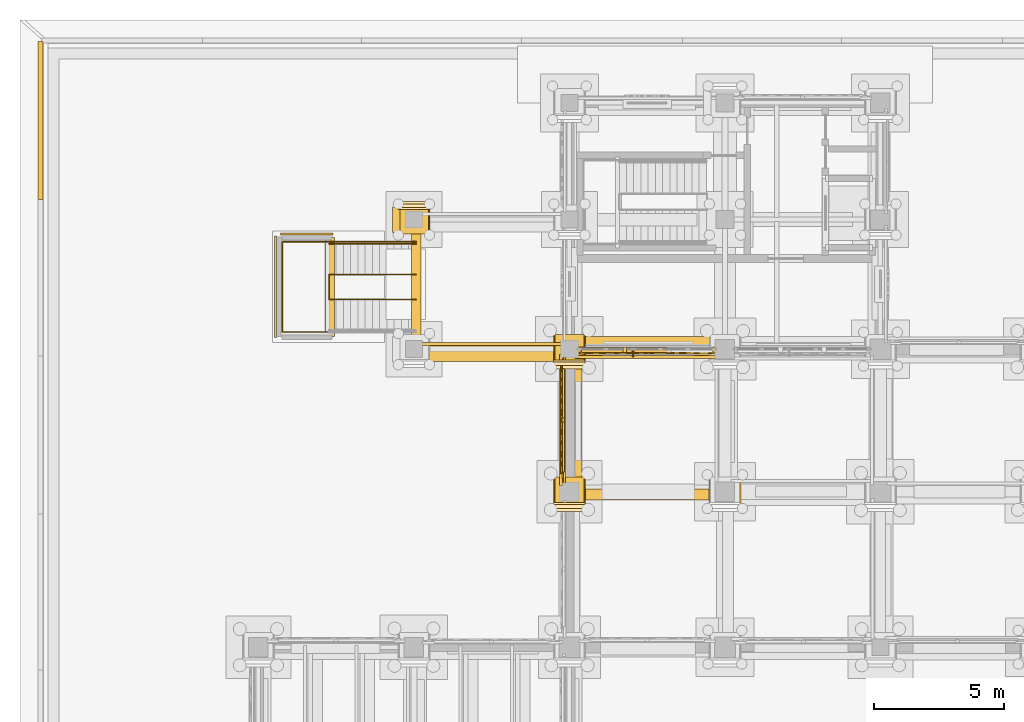
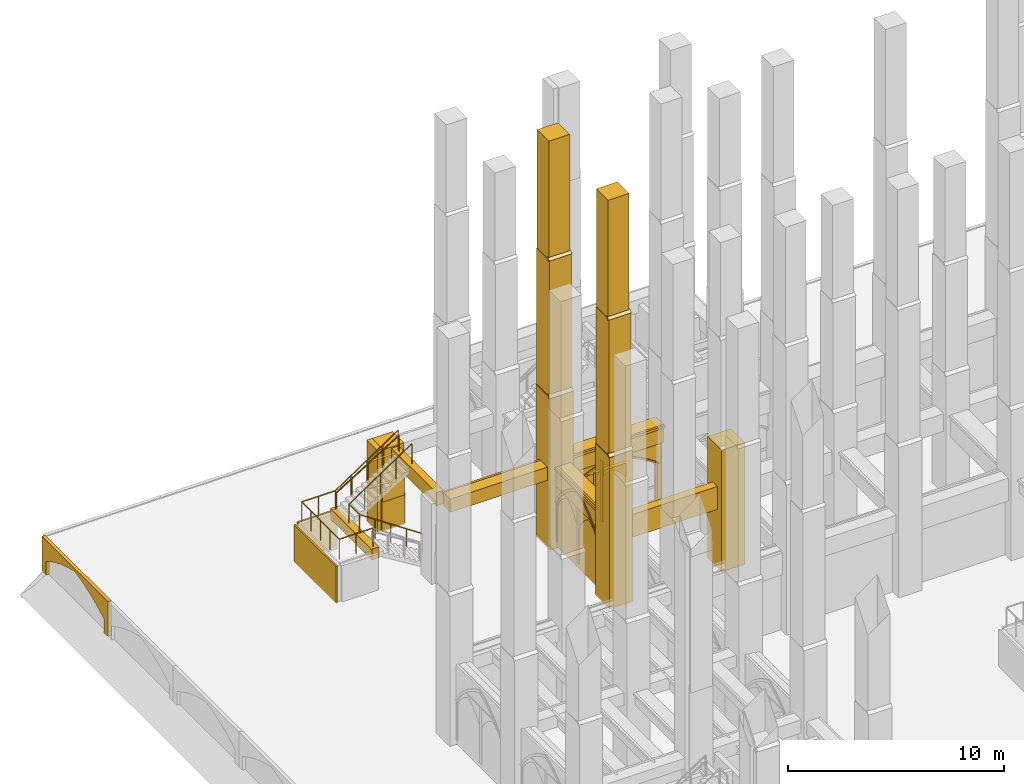
# One storey, part 89 of 135: 40 coverings, 4 railings, 1 shading device.
"""IFC4 building model written with IfcOpenShell, lengths in metres."""

from ifc_helpers import new_model, si_unit, direction, frame, origin, origin_2d, place, context, subcontext, project, spatial, polyline, rectangle, circle, outline, extrude, material, type_object, element, save


model = new_model("IFC4")

# Units and contexts
model_context = context("Model", 3, precision=1e-05, world=origin(), true_north=direction((0.0, 1.0)))
body_context = subcontext(model_context, "Body", "Model", "MODEL_VIEW")
ifc_project = project(units=[si_unit("LENGTHUNIT", "METRE"), si_unit("AREAUNIT", "SQUARE_METRE"), si_unit("VOLUMEUNIT", "CUBIC_METRE"), si_unit("PLANEANGLEUNIT", "RADIAN"), si_unit("MASSUNIT", "GRAM", prefix="KILO")], contexts=[model_context])

# Site, building, storey
site_placement = place(None, origin())
site = spatial("IfcSite", under=ifc_project, at=site_placement, CompositionType="ELEMENT")
building_placement = place(site_placement, origin())
building = spatial("IfcBuilding", under=site, at=building_placement, Name="Cumevento Cable Car Station", CompositionType="ELEMENT")
storey_placement = place(building_placement, origin())
storey = spatial("IfcBuildingStorey", under=building, at=storey_placement, Name="L01", CompositionType="ELEMENT", Elevation=0.0)

# Railings
ifc_material_1 = material(Name="Painted Galvanised Architectural Steel", Category="steel")
railing_type_1 = type_object("IfcRailingType", Name="Stair Guardrail GR-S115", PredefinedType="GUARDRAIL", material=ifc_material_1)
railing_1_placement = place(storey_placement, frame((16.080078125, 58.419921875, 0.0)))
element("IfcRailing", 1, at=railing_1_placement, inside=storey, type_object=railing_type_1, Name="Stair Well Inner Guardrail ST-16", PredefinedType="GUARDRAIL", context=body_context, shape_type="SweptSolid", body=[
    extrude(circle(Radius=0.02392578125, at=origin_2d()), frame((0.0, 0.0, 1.1259765625), z_axis=(-0.830915400975, 0.0, 0.556398774641), x_axis=(0.0, -1.0, 0.0)), (0.0, 0.0, 1.0), 4.0439453125),
    extrude(circle(Radius=0.02392578125, at=origin_2d()), frame((-3.360107421875, 0.0, 3.3759765625), z_axis=(0.0, 1.0, 0.0), x_axis=(-1.0, 0.0, 0.0)), (0.0, 0.0, 1.0), 0.9599609375),
    extrude(circle(Radius=0.02392578125, at=origin_2d()), frame((-3.360107421875, 0.9599609375, 3.3759765625), z_axis=(0.830915400975, 0.0, 0.556398774641), x_axis=(0.0, 1.0, 0.0)), (0.0, 0.0, 1.0), 4.0439453125),
    extrude(circle(Radius=0.02001953125, at=origin_2d()), origin(), (0.0, 0.0, 1.0), 1.101806640625),
    extrude(circle(Radius=0.02001953125, at=origin_2d()), frame((-0.840087890625, 0.0, 0.5625)), (0.0, 0.0, 1.0), 1.101806640625),
    extrude(circle(Radius=0.02001953125, at=origin_2d()), frame((-1.68017578125, 0.0, 1.125)), (0.0, 0.0, 1.0), 1.101806640625),
    extrude(circle(Radius=0.02001953125, at=origin_2d()), frame((-2.52001953125, 0.0, 1.6875)), (0.0, 0.0, 1.0), 1.101806640625),
    extrude(circle(Radius=0.02001953125, at=origin_2d()), frame((-3.360107421875, 0.0, 2.25)), (0.0, 0.0, 1.0), 1.101806640625),
    extrude(circle(Radius=0.02001953125, at=origin_2d()), frame((-3.360107421875, 0.9599609375, 2.25)), (0.0, 0.0, 1.0), 1.101806640625),
    extrude(circle(Radius=0.02001953125, at=origin_2d()), frame((-2.52001953125, 0.9599609375, 2.8125)), (0.0, 0.0, 1.0), 1.101806640625),
    extrude(circle(Radius=0.02001953125, at=origin_2d()), frame((-1.68017578125, 0.9599609375, 3.375)), (0.0, 0.0, 1.0), 1.101806640625),
    extrude(circle(Radius=0.02001953125, at=origin_2d()), frame((-0.840087890625, 0.9599609375, 3.9375)), (0.0, 0.0, 1.0), 1.101806640625),
    extrude(circle(Radius=0.02001953125, at=origin_2d()), frame((0.0, 0.9599609375, 4.5)), (0.0, 0.0, 1.0), 1.101806640625),
])
railing_2_placement = place(storey_placement, frame((12.719970703125, 57.159912109375, 2.25)))
element("IfcRailing", 2, at=railing_2_placement, inside=storey, type_object=railing_type_1, Name="Stair Half-Landing Guardrail ST-16", PredefinedType="GUARDRAIL", context=body_context, shape_type="SweptSolid", body=[
    extrude(circle(Radius=0.02392578125, at=origin_2d()), frame((0.0, 0.0, 1.1259765625), z_axis=(-1.0, 0.0, 0.0), x_axis=(0.0, -1.0, 0.0)), (0.0, 0.0, 1.0), 1.800048828125),
    extrude(circle(Radius=0.02392578125, at=origin_2d()), frame((-1.800048828125, 0.0, 1.1259765625), z_axis=(0.0, 1.0, 0.0), x_axis=(-1.0, 0.0, 0.0)), (0.0, 0.0, 1.0), 3.47998046875),
    extrude(circle(Radius=0.02392578125, at=origin_2d()), frame((-1.800048828125, 3.47998046875, 1.1259765625), z_axis=(1.0, 0.0, 0.0), x_axis=(0.0, 1.0, 0.0)), (0.0, 0.0, 1.0), 1.800048828125),
    extrude(circle(Radius=0.02001953125, at=origin_2d()), origin(), (0.0, 0.0, 1.0), 1.101806640625),
    extrude(circle(Radius=0.02001953125, at=origin_2d()), frame((-0.89990234375, 0.0, 0.0)), (0.0, 0.0, 1.0), 1.101806640625),
    extrude(circle(Radius=0.02001953125, at=origin_2d()), frame((-1.800048828125, 0.0, 0.0)), (0.0, 0.0, 1.0), 1.101806640625),
    extrude(circle(Radius=0.02001953125, at=origin_2d()), frame((-1.800048828125, 0.8701171875, 0.0)), (0.0, 0.0, 1.0), 1.101806640625),
    extrude(circle(Radius=0.02001953125, at=origin_2d()), frame((-1.800048828125, 1.739990234375, 0.0)), (0.0, 0.0, 1.0), 1.101806640625),
    extrude(circle(Radius=0.02001953125, at=origin_2d()), frame((-1.800048828125, 2.60986328125, 0.0)), (0.0, 0.0, 1.0), 1.101806640625),
    extrude(circle(Radius=0.02001953125, at=origin_2d()), frame((-1.800048828125, 3.47998046875, 0.0)), (0.0, 0.0, 1.0), 1.101806640625),
    extrude(circle(Radius=0.02001953125, at=origin_2d()), frame((-0.89990234375, 3.47998046875, 0.0)), (0.0, 0.0, 1.0), 1.101806640625),
    extrude(circle(Radius=0.02001953125, at=origin_2d()), frame((0.0, 3.47998046875, 0.0)), (0.0, 0.0, 1.0), 1.101806640625),
])
railing_3_placement = place(storey_placement, frame((12.719970703125, 60.639892578125, 2.25)))
element("IfcRailing", 3, at=railing_3_placement, inside=storey, type_object=railing_type_1, Name="Stair Outer Guardrail ST-16 F2", PredefinedType="GUARDRAIL", context=body_context, shape_type="SweptSolid", body=[
    extrude(circle(Radius=0.02392578125, at=origin_2d()), frame((0.0, 0.0, 1.1259765625), z_axis=(0.830915400975, 0.0, 0.556398774641), x_axis=(0.0, 1.0, 0.0)), (0.0, 0.0, 1.0), 4.0439453125),
    extrude(circle(Radius=0.02001953125, at=origin_2d()), origin(), (0.0, 0.0, 1.0), 1.101806640625),
    extrude(circle(Radius=0.02001953125, at=origin_2d()), frame((0.840087890625, 0.0, 0.5625)), (0.0, 0.0, 1.0), 1.101806640625),
    extrude(circle(Radius=0.02001953125, at=origin_2d()), frame((1.68017578125, 0.0, 1.125)), (0.0, 0.0, 1.0), 1.101806640625),
    extrude(circle(Radius=0.02001953125, at=origin_2d()), frame((2.52001953125, 0.0, 1.6875)), (0.0, 0.0, 1.0), 1.101806640625),
    extrude(circle(Radius=0.02001953125, at=origin_2d()), frame((3.360107421875, 0.0, 2.25)), (0.0, 0.0, 1.0), 1.101806640625),
])
ifc_material_2 = material(Name="Brushed Stainless Steel Handrail Tube", Category="steel")
railing_type_2 = type_object("IfcRailingType", Name="Stair Handrail HR-090", PredefinedType="HANDRAIL", material=ifc_material_2)
railing_4_placement = place(storey_placement, frame((12.719970703125, 60.56005859375, 2.42626953125)))
element("IfcRailing", 4, at=railing_4_placement, inside=storey, type_object=railing_type_2, Name="Stair Pitch Handrail ST-16 F2", PredefinedType="HANDRAIL", context=body_context, shape_type="SweptSolid", body=[
    extrude(circle(Radius=0.02099609375, at=origin_2d()), frame((0.0, 0.0, 0.87890625), z_axis=(0.850623216509, 0.0, 0.525775754039), x_axis=(0.0, 1.0, 0.0)), (0.0, 0.0, 1.0), 3.9501953125),
    extrude(circle(Radius=0.01611328125, at=origin_2d()), origin(), (0.0, 0.0, 1.0), 0.85791015625),
    extrude(circle(Radius=0.01611328125, at=origin_2d()), frame((0.840087890625, 0.0, 0.519287109375)), (0.0, 0.0, 1.0), 0.85791015625),
    extrude(circle(Radius=0.01611328125, at=origin_2d()), frame((1.68017578125, 0.0, 1.03857421875)), (0.0, 0.0, 1.0), 0.85791015625),
    extrude(circle(Radius=0.01611328125, at=origin_2d()), frame((2.52001953125, 0.0, 1.5576171875)), (0.0, 0.0, 1.0), 0.85791015625),
    extrude(circle(Radius=0.01611328125, at=origin_2d()), frame((3.360107421875, 0.0, 2.076904296875)), (0.0, 0.0, 1.0), 0.85791015625),
])

# Shading device
ifc_material_3 = material(Name="Anodised Bronze Aluminium AW-6063-T6", Category="aluminium")
shading_device_type = type_object("IfcShadingDeviceType", Name="Bronze Lancet Brise-Soleil BS-01", PredefinedType="JALOUSIE", material=ifc_material_3)
shading_device_placement = place(storey_placement, frame((24.4599609375, 56.320068359375, 0.159912109375), z_axis=(0.0, 0.0, 1.0), x_axis=(-1.0, 0.0, 0.0)))
element("IfcShadingDevice", 5, at=shading_device_placement, inside=storey, type_object=shading_device_type, Name="Bronze Lancet Solar Fin #11", PredefinedType="JALOUSIE", context=body_context, shape_type="SweptSolid", body=[
    extrude(rectangle(XDim=0.054931640625, YDim=0.239990234375, at=origin_2d()), origin(), (0.0, 0.0, 1.0), 3.43994140625),
])

# Coverings
ifc_material_4 = material(Name="Gnaisse Facoidal Stone Ashlar 85 MPa", Category="masonry")
covering_type = type_object("IfcCoveringType", Name="Gnaisse Ashlar Cladding CV-CL01", PredefinedType="CLADDING", material=ifc_material_4)
covering_1_placement = place(storey_placement, frame((16.0, 61.56005859375, -0.06005859375), z_axis=(0.0, 0.0, 1.0), x_axis=(-1.0, 0.0, 0.0)))
element("IfcCovering", 6, at=covering_1_placement, inside=storey, type_object=covering_type, Name="Stepped Gothic Stone Buttress Tier 1 bt:16.0:61.5", PredefinedType="CLADDING", context=body_context, shape_type="SweptSolid", body=[
    extrude(rectangle(XDim=1.239990234375, YDim=1.239990234375, at=origin_2d()), origin(), (0.0, 0.0, 1.0), 1.755615234375),
])
covering_2_placement = place(storey_placement, frame((16.639892578125, 62.199951171875, 1.675537109375), z_axis=(0.0, 0.714474823669, 0.699661151089), x_axis=(-1.0, 0.0, 0.0)))
element("IfcCovering", 7, at=covering_2_placement, inside=storey, type_object=covering_type, Name="Gothic Buttress Sloped Stone Weathering 1 bt:16.0:61.5", PredefinedType="CLADDING", context=body_context, shape_type="SweptSolid", body=[
    extrude(outline(polyline([(0.0, 0.0), (1.27978515625, 0.0), (1.27978515625, 0.21424991728737658), (0.0, 0.21424991728737658), (0.0, 0.0)])), origin(), (0.0, 0.0, -1.0), 0.090087890625),
])
covering_3_placement = place(storey_placement, frame((16.0, 61.510009765625, 1.603271484375), z_axis=(0.0, 0.0, 1.0), x_axis=(-1.0, 0.0, 0.0)))
element("IfcCovering", 8, at=covering_3_placement, inside=storey, type_object=covering_type, Name="Stepped Gothic Stone Buttress Tier 2 bt:16.0:61.5", PredefinedType="CLADDING", context=body_context, shape_type="SweptSolid", body=[
    extrude(rectangle(XDim=1.179931640625, YDim=1.139892578125, at=origin_2d()), origin(), (0.0, 0.0, 1.0), 1.6630859375),
])
covering_4_placement = place(storey_placement, frame((16.610107421875, 62.10009765625, 3.246337890625), z_axis=(0.0, 0.715574205881, 0.698536724788), x_axis=(-1.0, 0.0, 0.0)))
element("IfcCovering", 9, at=covering_4_placement, inside=storey, type_object=covering_type, Name="Gothic Buttress Sloped Stone Weathering 2 bt:16.0:61.5", PredefinedType="CLADDING", context=body_context, shape_type="SweptSolid", body=[
    extrude(outline(polyline([(0.0, 0.0), (1.22021484375, 0.0), (1.22021484375, 0.2006146760464928), (0.0, 0.2006146760464928), (0.0, 0.0)])), origin(), (0.0, 0.0, -1.0), 0.090087890625),
])
covering_5_placement = place(storey_placement, frame((16.0, 61.465087890625, 3.173828125), z_axis=(0.0, 0.0, 1.0), x_axis=(-1.0, 0.0, 0.0)))
element("IfcCovering", 10, at=covering_5_placement, inside=storey, type_object=covering_type, Name="Stepped Gothic Stone Buttress Tier 3 bt:16.0:61.5", PredefinedType="CLADDING", context=body_context, shape_type="SweptSolid", body=[
    extrude(rectangle(XDim=1.1201171875, YDim=1.050048828125, at=origin_2d()), origin(), (0.0, 0.0, 1.0), 1.385986328125),
])
covering_6_placement = place(storey_placement, frame((15.320068359375, 61.5, -0.06005859375), z_axis=(0.0, 0.0, 1.0), x_axis=(1.0, 0.0, 0.0)))
element("IfcCovering", 11, at=covering_6_placement, inside=storey, type_object=covering_type, Name="Corner Buttress Stone Return (16.0,61.5)", PredefinedType="CLADDING", context=body_context, shape_type="SweptSolid", body=[
    extrude(rectangle(XDim=0.280029296875, YDim=0.97998046875, at=origin_2d()), origin(), (0.0, 0.0, 1.0), 4.6201171875),
])
covering_7_placement = place(storey_placement, frame((22.0, 50.909912109375, -0.06005859375), z_axis=(0.0, 0.0, 1.0), x_axis=(1.0, 0.0, 0.0)))
element("IfcCovering", 12, at=covering_7_placement, inside=storey, type_object=covering_type, Name="Stepped Gothic Stone Buttress Tier 1 bt:22.0:51.0", PredefinedType="CLADDING", context=body_context, shape_type="SweptSolid", body=[
    extrude(rectangle(XDim=1.239990234375, YDim=1.300048828125, at=origin_2d()), origin(), (0.0, 0.0, 1.0), 8.595703125),
])
covering_8_placement = place(storey_placement, frame((21.360107421875, 50.239990234375, 8.515625), z_axis=(0.0, -0.711135781079, 0.703054692658), x_axis=(1.0, 0.0, 0.0)))
element("IfcCovering", 13, at=covering_8_placement, inside=storey, type_object=covering_type, Name="Gothic Buttress Sloped Stone Weathering 1 bt:22.0:51.0", PredefinedType="CLADDING", context=body_context, shape_type="SweptSolid", body=[
    extrude(outline(polyline([(0.0, 0.0), (1.27978515625, 0.0), (1.27978515625, 0.24169083397703695), (0.0, 0.24169083397703695), (0.0, 0.0)])), origin(), (0.0, 0.0, -1.0), 0.090087890625),
])
covering_9_placement = place(storey_placement, frame((22.0, 50.969970703125, 8.0830078125), z_axis=(0.0, 0.0, 1.0), x_axis=(1.0, 0.0, 0.0)))
element("IfcCovering", 14, at=covering_9_placement, inside=storey, type_object=covering_type, Name="Stepped Gothic Stone Buttress Tier 2 bt:22.0:51.0", PredefinedType="CLADDING", context=body_context, shape_type="SweptSolid", body=[
    extrude(rectangle(XDim=1.179931640625, YDim=1.179931640625, at=origin_2d()), origin(), (0.0, 0.0, 1.0), 8.143310546875),
])
covering_10_placement = place(storey_placement, frame((21.389892578125, 50.360107421875, 16.206298828125), z_axis=(0.0, -0.714474823669, 0.699661151089), x_axis=(1.0, 0.0, 0.0)))
element("IfcCovering", 15, at=covering_10_placement, inside=storey, type_object=covering_type, Name="Gothic Buttress Sloped Stone Weathering 2 bt:22.0:51.0", PredefinedType="CLADDING", context=body_context, shape_type="SweptSolid", body=[
    extrude(outline(polyline([(0.0, 0.0), (1.22021484375, 0.0), (1.22021484375, 0.21424991728737655), (0.0, 0.21424991728737655), (0.0, 0.0)])), origin(), (0.0, 0.0, -1.0), 0.090087890625),
])
covering_11_placement = place(storey_placement, frame((22.0, 51.02001953125, 15.77392578125), z_axis=(0.0, 0.0, 1.0), x_axis=(1.0, 0.0, 0.0)))
element("IfcCovering", 16, at=covering_11_placement, inside=storey, type_object=covering_type, Name="Stepped Gothic Stone Buttress Tier 3 bt:22.0:51.0", PredefinedType="CLADDING", context=body_context, shape_type="SweptSolid", body=[
    extrude(rectangle(XDim=1.1201171875, YDim=1.080078125, at=origin_2d()), origin(), (0.0, 0.0, 1.0), 7.1259765625),
])
covering_12_placement = place(storey_placement, frame((22.0, 56.409912109375, -0.06005859375), z_axis=(0.0, 0.0, 1.0), x_axis=(1.0, 0.0, 0.0)))
element("IfcCovering", 17, at=covering_12_placement, inside=storey, type_object=covering_type, Name="Stepped Gothic Stone Buttress Tier 1 bt:22.0:56.5", PredefinedType="CLADDING", context=body_context, shape_type="SweptSolid", body=[
    extrude(rectangle(XDim=1.239990234375, YDim=1.300048828125, at=origin_2d()), origin(), (0.0, 0.0, 1.0), 8.595703125),
])
covering_13_placement = place(storey_placement, frame((21.360107421875, 55.739990234375, 8.515625), z_axis=(0.0, -0.711135781079, 0.703054692658), x_axis=(1.0, 0.0, 0.0)))
element("IfcCovering", 18, at=covering_13_placement, inside=storey, type_object=covering_type, Name="Gothic Buttress Sloped Stone Weathering 1 bt:22.0:56.5", PredefinedType="CLADDING", context=body_context, shape_type="SweptSolid", body=[
    extrude(outline(polyline([(0.0, 0.0), (1.27978515625, 0.0), (1.27978515625, 0.24169083397703695), (0.0, 0.24169083397703695), (0.0, 0.0)])), origin(), (0.0, 0.0, -1.0), 0.090087890625),
])
covering_14_placement = place(storey_placement, frame((22.0, 56.469970703125, 8.0830078125), z_axis=(0.0, 0.0, 1.0), x_axis=(1.0, 0.0, 0.0)))
element("IfcCovering", 19, at=covering_14_placement, inside=storey, type_object=covering_type, Name="Stepped Gothic Stone Buttress Tier 2 bt:22.0:56.5", PredefinedType="CLADDING", context=body_context, shape_type="SweptSolid", body=[
    extrude(rectangle(XDim=1.179931640625, YDim=1.179931640625, at=origin_2d()), origin(), (0.0, 0.0, 1.0), 8.143310546875),
])
covering_15_placement = place(storey_placement, frame((21.389892578125, 55.860107421875, 16.206298828125), z_axis=(0.0, -0.714474823669, 0.699661151089), x_axis=(1.0, 0.0, 0.0)))
element("IfcCovering", 20, at=covering_15_placement, inside=storey, type_object=covering_type, Name="Gothic Buttress Sloped Stone Weathering 2 bt:22.0:56.5", PredefinedType="CLADDING", context=body_context, shape_type="SweptSolid", body=[
    extrude(outline(polyline([(0.0, 0.0), (1.22021484375, 0.0), (1.22021484375, 0.21424991728737655), (0.0, 0.21424991728737655), (0.0, 0.0)])), origin(), (0.0, 0.0, -1.0), 0.090087890625),
])
covering_16_placement = place(storey_placement, frame((22.0, 56.52001953125, 15.77392578125), z_axis=(0.0, 0.0, 1.0), x_axis=(1.0, 0.0, 0.0)))
element("IfcCovering", 21, at=covering_16_placement, inside=storey, type_object=covering_type, Name="Stepped Gothic Stone Buttress Tier 3 bt:22.0:56.5", PredefinedType="CLADDING", context=body_context, shape_type="SweptSolid", body=[
    extrude(rectangle(XDim=1.1201171875, YDim=1.080078125, at=origin_2d()), origin(), (0.0, 0.0, 1.0), 7.1259765625),
])
covering_17_placement = place(storey_placement, frame((28.0, 50.909912109375, -0.06005859375), z_axis=(0.0, 0.0, 1.0), x_axis=(1.0, 0.0, 0.0)))
element("IfcCovering", 22, at=covering_17_placement, inside=storey, type_object=covering_type, Name="Stepped Gothic Stone Buttress Tier 1 bt:28.0:51.0", PredefinedType="CLADDING", context=body_context, shape_type="SweptSolid", body=[
    extrude(rectangle(XDim=1.239990234375, YDim=1.300048828125, at=origin_2d()), origin(), (0.0, 0.0, 1.0), 6.885498046875),
])
covering_18_placement = place(storey_placement, frame((25.0, 50.885009765625, 3.239990234375), z_axis=(0.0, 0.0, 1.0), x_axis=(1.0, 0.0, 0.0)))
element("IfcCovering", 23, at=covering_18_placement, inside=storey, type_object=covering_type, Name="Gothic Stone Spandrel Stringcourse sc:0081", PredefinedType="CLADDING", context=body_context, shape_type="SweptSolid", body=[
    extrude(rectangle(XDim=5.31005859375, YDim=0.429931640625, at=origin_2d()), origin(), (0.0, 0.0, 1.0), 1.2900390625),
])
covering_19_placement = place(storey_placement, frame((24.987548828125, 56.60009765625, 3.5400390625), z_axis=(0.0, 0.0, 1.0), x_axis=(-1.0, 0.0, 0.0)))
element("IfcCovering", 24, at=covering_19_placement, inside=storey, type_object=covering_type, Name="Gothic Stone Spandrel Stringcourse sc:0086", PredefinedType="CLADDING", context=body_context, shape_type="SweptSolid", body=[
    extrude(rectangle(XDim=5.514892578125, YDim=0.760009765625, at=origin_2d()), origin(), (0.0, 0.0, 1.0), 0.989990234375),
])
covering_20_placement = place(storey_placement, frame((24.987548828125, 56.1923828125, 4.400146484375), z_axis=(0.0, 0.0, 1.0), x_axis=(-1.0, 0.0, 0.0)))
element("IfcCovering", 25, at=covering_20_placement, inside=storey, type_object=covering_type, Name="Gothic Cornice Dripstone Lip sc:0086", PredefinedType="CLADDING", context=body_context, shape_type="SweptSolid", body=[
    extrude(rectangle(XDim=5.554931640625, YDim=0.114990234375, at=origin_2d()), origin(), (0.0, 0.0, 1.0), 0.1298828125),
])
covering_21_placement = place(storey_placement, frame((22.08740234375, 53.762451171875, 3.43994140625), z_axis=(0.0, 0.0, 1.0), x_axis=(0.0, 1.0, 0.0)))
element("IfcCovering", 26, at=covering_21_placement, inside=storey, type_object=covering_type, Name="Gothic Stone Spandrel Stringcourse sc:0092", PredefinedType="CLADDING", context=body_context, shape_type="SweptSolid", body=[
    extrude(rectangle(XDim=5.014892578125, YDim=0.784912109375, at=origin_2d()), origin(), (0.0, 0.0, 1.0), 1.090087890625),
])
covering_22_placement = place(storey_placement, frame((21.66748046875, 53.762451171875, 4.400146484375), z_axis=(0.0, 0.0, 1.0), x_axis=(0.0, 1.0, 0.0)))
element("IfcCovering", 27, at=covering_22_placement, inside=storey, type_object=covering_type, Name="Gothic Cornice Dripstone Lip sc:0092", PredefinedType="CLADDING", context=body_context, shape_type="SweptSolid", body=[
    extrude(rectangle(XDim=5.054931640625, YDim=0.114990234375, at=origin_2d()), origin(), (0.0, 0.0, 1.0), 0.1298828125),
])
covering_23_placement = place(storey_placement, frame((18.987548828125, 56.35009765625, 3.73291015625), z_axis=(0.0, 0.0, 1.0), x_axis=(1.0, 0.0, 0.0)))
element("IfcCovering", 28, at=covering_23_placement, inside=storey, type_object=covering_type, Name="Gothic Stone Spandrel Stringcourse sc:0840", PredefinedType="CLADDING", context=body_context, shape_type="SweptSolid", body=[
    extrude(rectangle(XDim=5.56494140625, YDim=0.659912109375, at=origin_2d()), origin(), (0.0, 0.0, 1.0), 0.7470703125),
])
covering_24_placement = place(storey_placement, frame((18.987548828125, 56.70751953125, 4.35009765625), z_axis=(0.0, 0.0, 1.0), x_axis=(1.0, 0.0, 0.0)))
element("IfcCovering", 29, at=covering_24_placement, inside=storey, type_object=covering_type, Name="Gothic Cornice Dripstone Lip sc:0840", PredefinedType="CLADDING", context=body_context, shape_type="SweptSolid", body=[
    extrude(rectangle(XDim=5.60498046875, YDim=0.114990234375, at=origin_2d()), origin(), (0.0, 0.0, 1.0), 0.1298828125),
])
covering_25_placement = place(storey_placement, frame((16.090087890625, 59.0, 3.73291015625), z_axis=(0.0, 0.0, 1.0), x_axis=(0.0, 1.0, 0.0)))
element("IfcCovering", 30, at=covering_25_placement, inside=storey, type_object=covering_type, Name="Gothic Stone Spandrel Stringcourse sc:0842", PredefinedType="CLADDING", context=body_context, shape_type="SweptSolid", body=[
    extrude(rectangle(XDim=4.409912109375, YDim=0.3798828125, at=origin_2d()), origin(), (0.0, 0.0, 1.0), 0.7470703125),
])
covering_26_placement = place(storey_placement, frame((12.75, 58.89990234375, 1.72509765625), z_axis=(0.0, 0.0, 1.0), x_axis=(0.0, 1.0, 0.0)))
element("IfcCovering", 31, at=covering_26_placement, inside=storey, type_object=covering_type, Name="Gothic Stone Spandrel Stringcourse sc:0850", PredefinedType="CLADDING", context=body_context, shape_type="SweptSolid", body=[
    extrude(rectangle(XDim=3.820068359375, YDim=0.3798828125, at=origin_2d()), origin(), (0.0, 0.0, 1.0), 0.60595703125),
])
placement_1 = place(storey_placement, frame((27.625, 56.5, 0.0), z_axis=(0.0, 0.0, 1.0), x_axis=(-1.0, 0.0, 0.0)))
element("IfcCovering", 32, at=placement_1, inside=storey, type_object=covering_type, Name="Gothic Ogival Pointed-Arch Stone Spandrel cw_ogival:0016", PredefinedType="CLADDING", context=body_context, shape_type="SweptSolid", body=[
    extrude(outline(polyline([(-0.080078125, 0.0), (-0.080078125, 3.679931640625), (5.35498046875, 3.679931640625), (5.35498046875, 0.0), (5.114990234375, 0.0), (5.114990234375, 2.361572265625), (4.831787109375, 2.55322265625), (4.53955078125, 2.730712890625), (4.239013671875, 2.893798828125), (3.930908203125, 3.0419921875), (3.615966796875, 3.175048828125), (3.294921875, 3.29248046875), (2.968505859375, 3.394287109375), (2.637451171875, 3.47998046875), (2.306396484375, 3.394287109375), (1.97998046875, 3.29248046875), (1.658935546875, 3.175048828125), (1.343994140625, 3.0419921875), (1.035888671875, 2.893798828125), (0.7353515625, 2.730712890625), (0.443115234375, 2.55322265625), (0.159912109375, 2.361572265625), (0.159912109375, 0.0), (-0.080078125, 0.0)])), frame((0.0, 0.139892578125, 0.0), z_axis=(0.0, -1.0, 0.0), x_axis=(1.0, 0.0, 0.0)), (0.0, 0.0, 1.0), 0.219970703125),
])
covering_28_placement = place(storey_placement, frame((27.625, 56.5, 2.361572265625), z_axis=(0.0, 0.0, 1.0), x_axis=(-1.0, 0.0, 0.0)))
element("IfcCovering", 33, at=covering_28_placement, inside=storey, type_object=covering_type, Name="Gothic Pointed Archivolt Hood Moulding cw_ogival:0016", PredefinedType="CLADDING", context=body_context, shape_type="SweptSolid", body=[
    extrude(outline(polyline([(0.159912109375, 0.0), (0.443115234375, 0.191650390625), (0.7353515625, 0.369140625), (1.035888671875, 0.5322265625), (1.343994140625, 0.680419921875), (1.658935546875, 0.8134765625), (1.97998046875, 0.930908203125), (2.306396484375, 1.03271484375), (2.637451171875, 1.118408203125), (2.968505859375, 1.03271484375), (3.294921875, 0.930908203125), (3.615966796875, 0.8134765625), (3.930908203125, 0.680419921875), (4.239013671875, 0.5322265625), (4.53955078125, 0.369140625), (4.831787109375, 0.191650390625), (5.114990234375, 0.0), (5.22509765625, 0.0), (4.93310546875, 0.21435546875), (4.630615234375, 0.413330078125), (4.318115234375, 0.596435546875), (3.99658203125, 0.762939453125), (3.6669921875, 0.91259765625), (3.329833984375, 1.044677734375), (2.986328125, 1.159423828125), (2.637451171875, 1.255859375), (2.28857421875, 1.159423828125), (1.945068359375, 1.044677734375), (1.60791015625, 0.91259765625), (1.2783203125, 0.762939453125), (0.956787109375, 0.596435546875), (0.644287109375, 0.413330078125), (0.341796875, 0.21435546875), (0.050048828125, 0.0), (0.159912109375, 0.0)])), frame((0.0, 0.181884765625, 0.0), z_axis=(0.0, -1.0, 0.0), x_axis=(1.0, 0.0, 0.0)), (0.0, 0.0, 1.0), 0.06689453125),
])
element("IfcCovering", 34, at=placement_1, inside=storey, type_object=covering_type, Name="Gothic Bifora Stone Colonnette cw_ogival:0016 #2", PredefinedType="CLADDING", context=body_context, shape_type="SweptSolid", body=[
    extrude(outline(polyline([(3.413330078125, -0.02001953125), (3.563232421875, -0.02001953125), (3.563232421875, 2.943115234375), (3.413330078125, 2.943115234375), (3.413330078125, -0.02001953125)])), frame((0.0, 0.1279296875, 0.0), z_axis=(0.0, -1.0, 0.0), x_axis=(1.0, 0.0, 0.0)), (0.0, 0.0, 1.0), 0.205078125),
])
for number, where, z_axis, x_axis, name in (
    (35, (25.793212890625, 56.5, 2.181640625), (0.0, 0.0, 1.0), (-1.0, 0.0, 0.0), "Gothic Ogival Pointed-Arch Stone Spandrel cw_ogival:0016:sub:1"),
    (36, (24.091552734375, 56.5, 2.181640625), (0.0, 0.0, 1.0), (-1.0, 0.0, 0.0), "Gothic Ogival Pointed-Arch Stone Spandrel cw_ogival:0016:sub:2"),
):
    element("IfcCovering", number, at=place(storey_placement, frame(where, z_axis=z_axis, x_axis=x_axis)), inside=storey, type_object=covering_type, Name=name, PredefinedType="CLADDING", context=body_context, shape_type="SweptSolid", body=[
        extrude(outline(polyline([(-0.02001953125, 0.0), (-0.02001953125, 0.76171875), (1.631591796875, 0.76171875), (1.631591796875, 0.0), (1.57177734375, 0.0), (1.47509765625, 0.13916015625), (1.3642578125, 0.267333984375), (1.240478515625, 0.3828125), (1.105224609375, 0.484375), (0.959716796875, 0.571044921875), (0.805908203125, 0.6416015625), (0.65185546875, 0.571044921875), (0.50634765625, 0.484375), (0.37109375, 0.3828125), (0.247314453125, 0.267333984375), (0.136474609375, 0.13916015625), (0.0400390625, 0.0), (-0.02001953125, 0.0)])), frame((0.0, 0.1240234375, 0.0), z_axis=(0.0, -1.0, 0.0), x_axis=(1.0, 0.0, 0.0)), (0.0, 0.0, 1.0), 0.199951171875),
    ])
covering_30_placement = place(storey_placement, frame((22.0, 51.375, 0.0), z_axis=(0.0, 0.0, 1.0), x_axis=(0.0, 1.0, 0.0)))
element("IfcCovering", 37, at=covering_30_placement, inside=storey, type_object=covering_type, Name="Exterior Gnaisse Stone Wall Ashlar #20", PredefinedType="CLADDING", context=body_context, shape_type="SweptSolid", body=[
    extrude(outline(polyline([(-0.0400390625, -0.02001953125), (4.81494140625, -0.02001953125), (4.81494140625, 4.52001953125), (-0.0400390625, 4.52001953125), (-0.0400390625, -0.02001953125)])), frame((0.0, 0.237548828125, 0.0), z_axis=(0.0, -1.0, 0.0), x_axis=(1.0, 0.0, 0.0)), (0.0, 0.0, 1.0), 0.0849609375),
])
placement_2 = place(storey_placement, frame((22.0, 51.554931640625, 0.300048828125), z_axis=(0.0, 0.0, 1.0), x_axis=(0.0, 1.0, 0.0)))
element("IfcCovering", 38, at=placement_2, inside=storey, type_object=covering_type, Name="Gothic Ogival Pointed-Arch Stone Spandrel blind_ogival:0020", PredefinedType="CLADDING", context=body_context, shape_type="SweptSolid", body=[
    extrude(outline(polyline([(-0.050048828125, 0.0), (-0.050048828125, 4.239990234375), (4.465087890625, 4.239990234375), (4.465087890625, 0.0), (4.155029296875, 0.0), (4.155029296875, 2.219970703125), (3.95947265625, 2.55322265625), (3.732421875, 2.865478515625), (3.475830078125, 3.154052734375), (3.192138671875, 3.416259765625), (2.88427734375, 3.6494140625), (2.554931640625, 3.851318359375), (2.20751953125, 4.02001953125), (1.860107421875, 3.851318359375), (1.53076171875, 3.6494140625), (1.222900390625, 3.416259765625), (0.939208984375, 3.154052734375), (0.6826171875, 2.865478515625), (0.45556640625, 2.55322265625), (0.260009765625, 2.219970703125), (0.260009765625, 0.0), (-0.050048828125, 0.0)])), frame((0.0, 0.29248046875, 0.0), z_axis=(0.0, -1.0, 0.0), x_axis=(1.0, 0.0, 0.0)), (0.0, 0.0, 1.0), 0.110107421875),
])
covering_32_placement = place(storey_placement, frame((22.0, 51.554931640625, 2.52001953125), z_axis=(0.0, 0.0, 1.0), x_axis=(0.0, 1.0, 0.0)))
element("IfcCovering", 39, at=covering_32_placement, inside=storey, type_object=covering_type, Name="Gothic Pointed Archivolt Hood Moulding blind_ogival:0020", PredefinedType="CLADDING", context=body_context, shape_type="SweptSolid", body=[
    extrude(outline(polyline([(0.260009765625, 0.0), (0.45556640625, 0.333251953125), (0.6826171875, 0.6455078125), (0.939208984375, 0.93408203125), (1.222900390625, 1.1962890625), (1.53076171875, 1.429443359375), (1.860107421875, 1.63134765625), (2.20751953125, 1.800048828125), (2.554931640625, 1.63134765625), (2.88427734375, 1.429443359375), (3.192138671875, 1.1962890625), (3.475830078125, 0.93408203125), (3.732421875, 0.6455078125), (3.95947265625, 0.333251953125), (4.155029296875, 0.0), (4.27587890625, 0.0), (4.071533203125, 0.3603515625), (3.83203125, 0.698486328125), (3.560302734375, 1.011474609375), (3.259033203125, 1.295654296875), (2.930908203125, 1.548828125), (2.5791015625, 1.76806640625), (2.20751953125, 1.951171875), (1.8359375, 1.76806640625), (1.484130859375, 1.548828125), (1.156005859375, 1.295654296875), (0.854736328125, 1.011474609375), (0.5830078125, 0.698486328125), (0.343505859375, 0.3603515625), (0.138916015625, 0.0), (0.260009765625, 0.0)])), frame((0.0, 0.33447265625, 0.0), z_axis=(0.0, -1.0, 0.0), x_axis=(1.0, 0.0, 0.0)), (0.0, 0.0, 1.0), 0.06689453125),
])
element("IfcCovering", 40, at=placement_2, inside=storey, type_object=covering_type, Name="Gothic Bifora Stone Colonnette blind_ogival:0020 #1", PredefinedType="CLADDING", context=body_context, shape_type="SweptSolid", body=[
    extrude(outline(polyline([(2.132568359375, -0.02001953125), (2.282470703125, -0.02001953125), (2.282470703125, 3.156005859375), (2.132568359375, 3.156005859375), (2.132568359375, -0.02001953125)])), frame((0.0, 0.280517578125, 0.0), z_axis=(0.0, -1.0, 0.0), x_axis=(1.0, 0.0, 0.0)), (0.0, 0.0, 1.0), 0.094970703125),
])
for number, where, z_axis, x_axis, name in (
    (41, (22.0, 51.784912109375, 2.340087890625), (0.0, 0.0, 1.0), (0.0, 1.0, 0.0), "Gothic Ogival Pointed-Arch Stone Spandrel blind_ogival:0020:sub:0"),
    (42, (22.0, 53.8076171875, 2.340087890625), (0.0, 0.0, 1.0), (0.0, 1.0, 0.0), "Gothic Ogival Pointed-Arch Stone Spandrel blind_ogival:0020:sub:1"),
):
    element("IfcCovering", number, at=place(storey_placement, frame(where, z_axis=z_axis, x_axis=x_axis)), inside=storey, type_object=covering_type, Name=name, PredefinedType="CLADDING", context=body_context, shape_type="SweptSolid", body=[
        extrude(outline(polyline([(-0.02001953125, 0.0), (-0.02001953125, 1.115966796875), (1.952392578125, 1.115966796875), (1.952392578125, 0.0), (1.892578125, 0.0), (1.794921875, 0.21044921875), (1.671630859375, 0.406982421875), (1.524658203125, 0.586669921875), (1.3564453125, 0.74609375), (1.169189453125, 0.88330078125), (0.96630859375, 0.99609375), (0.763427734375, 0.88330078125), (0.576171875, 0.74609375), (0.407958984375, 0.586669921875), (0.260986328125, 0.406982421875), (0.1376953125, 0.21044921875), (0.0400390625, 0.0), (-0.02001953125, 0.0)])), frame((0.0, 0.276611328125, 0.0), z_axis=(0.0, -1.0, 0.0), x_axis=(1.0, 0.0, 0.0)), (0.0, 0.0, 1.0), 0.090087890625),
    ])
covering_34_placement = place(storey_placement, frame((10.780029296875, 56.97998046875, 0.0), z_axis=(0.0, 0.0, 1.0), x_axis=(0.0, 1.0, 0.0)))
element("IfcCovering", 43, at=covering_34_placement, inside=storey, type_object=covering_type, Name="Exterior Gnaisse Stone Wall Ashlar #316", PredefinedType="CLADDING", context=body_context, shape_type="SweptSolid", body=[
    extrude(outline(polyline([(-0.0400390625, -0.02001953125), (3.8798828125, -0.02001953125), (3.8798828125, 2.071044921875), (-0.0400390625, 2.071044921875), (-0.0400390625, -0.02001953125)])), frame((0.0, 0.159912109375, 0.0), z_axis=(0.0, -1.0, 0.0), x_axis=(1.0, 0.0, 0.0)), (0.0, 0.0, 1.0), 0.0849609375),
])
covering_35_placement = place(storey_placement, frame((10.89990234375, 60.820068359375, 0.0), z_axis=(0.0, 0.0, 1.0), x_axis=(1.0, 0.0, 0.0)))
element("IfcCovering", 44, at=covering_35_placement, inside=storey, type_object=covering_type, Name="Exterior Gnaisse Stone Wall Ashlar #318", PredefinedType="CLADDING", context=body_context, shape_type="SweptSolid", body=[
    extrude(outline(polyline([(-0.0400390625, -0.02001953125), (1.97998046875, -0.02001953125), (1.97998046875, 2.071044921875), (-0.0400390625, 2.071044921875), (-0.0400390625, -0.02001953125)])), frame((0.0, 0.159912109375, 0.0), z_axis=(0.0, -1.0, 0.0), x_axis=(1.0, 0.0, 0.0)), (0.0, 0.0, 1.0), 0.0849609375),
])
covering_36_placement = place(storey_placement, frame((1.64990234375, 62.286376953125, -1.919921875), z_axis=(0.0, 0.0, 1.0), x_axis=(0.0, 1.0, 0.0)))
element("IfcCovering", 45, at=covering_36_placement, inside=storey, type_object=covering_type, Name="Gothic Ogival Pointed-Arch Stone Spandrel cumevento_plinth:plinth_arch:W:0", PredefinedType="CLADDING", context=body_context, shape_type="SweptSolid", body=[
    extrude(outline(polyline([(-0.02001953125, 0.0), (-0.02001953125, 1.9599609375), (6.083740234375, 1.9599609375), (6.083740234375, 0.0), (5.70361328125, 0.0), (5.70361328125, 0.77001953125), (5.284912109375, 1.003662109375), (4.853759765625, 1.21337890625), (4.41162109375, 1.3984375), (3.95947265625, 1.55810546875), (3.4990234375, 1.692138671875), (3.03173828125, 1.800048828125), (2.564697265625, 1.692138671875), (2.104248046875, 1.55810546875), (1.652099609375, 1.3984375), (1.2099609375, 1.21337890625), (0.77880859375, 1.003662109375), (0.360107421875, 0.77001953125), (0.360107421875, 0.0), (-0.02001953125, 0.0)])), frame((0.0, 0.14990234375, 0.0), z_axis=(0.0, -1.0, 0.0), x_axis=(1.0, 0.0, 0.0)), (0.0, 0.0, 1.0), 0.179931640625),
])

save(model, "model.ifc")
